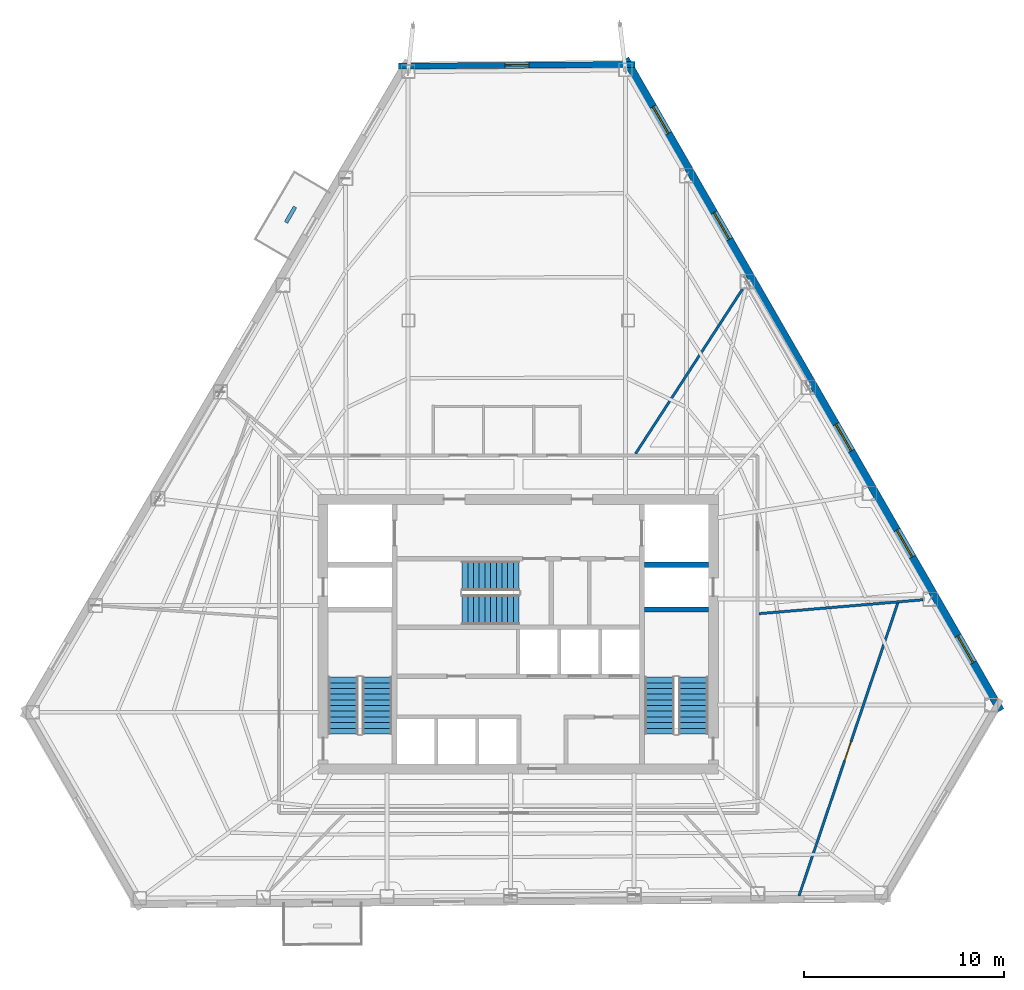
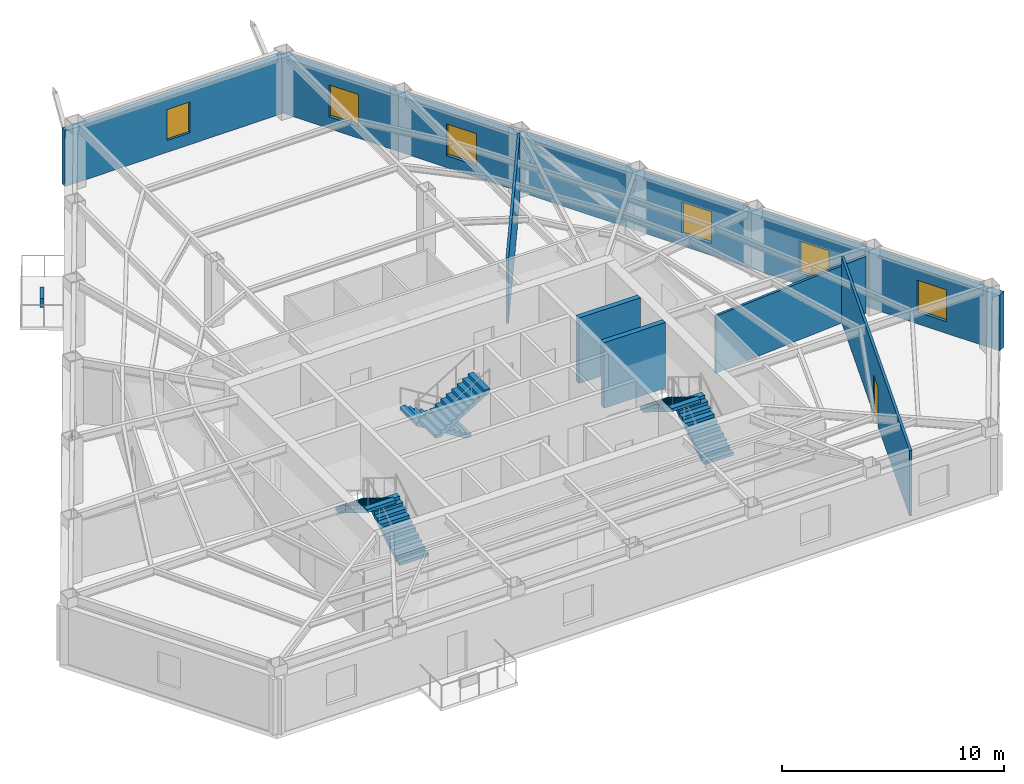
# One storey, part 10 of 12: 8 walls, 6 stair flights, 6 windows, 1 door, 7 openings, 3 elements without a shape of their own.
"""IFC4 building model written with IfcOpenShell, lengths in metres."""

from ifc_helpers import new_model, si_unit, direction, frame, frame_2d, origin, place, context, subcontext, project, spatial, polyline, rectangle, outline, extrude, material, layer, layer_set, type_object, element, fill, aggregate, save


model = new_model("IFC4")

# Units and contexts
model_context = context("Model", 3, precision=1e-05, world=origin(), true_north=direction((0.0, 1.0)))
body_context = subcontext(model_context, "Body", "Model", "MODEL_VIEW")
ifc_project = project(units=[si_unit("LENGTHUNIT", "METRE"), si_unit("AREAUNIT", "SQUARE_METRE"), si_unit("VOLUMEUNIT", "CUBIC_METRE"), si_unit("PLANEANGLEUNIT", "RADIAN"), si_unit("MASSUNIT", "GRAM", prefix="KILO")], contexts=[model_context])

# Site, building, storey
site_placement = place(None, origin())
site = spatial("IfcSite", under=ifc_project, at=site_placement, CompositionType="ELEMENT")
building_placement = place(site_placement, origin())
building = spatial("IfcBuilding", under=site, at=building_placement, Name="Kavelnor Concourse Tower", CompositionType="ELEMENT")
storey_placement = place(building_placement, frame((0.0, 0.0, 143.25)))
storey = spatial("IfcBuildingStorey", under=building, at=storey_placement, Name="L36", CompositionType="ELEMENT", Elevation=143.25)

# Wall, opening, window
ifc_material_1 = material(Name="Buff ironspot clay face brick masonry", Category="masonry")
ifc_layer_1 = layer(ifc_material_1, 0.300048828125, Name="Buff ironspot clay face brick masonry")
ifc_layer_set_1 = layer_set([ifc_layer_1], Name="Buff ironspot clay face brick masonry")
wall_type_1 = type_object("IfcWallType", Name="WL-EXT-BUFF-BRICK-FOLD-300", PredefinedType="STANDARD", material=ifc_layer_set_1)
wall_1_placement = place(storey_placement, frame((32.0126953125, 44.5283203125, 0.0), z_axis=(0.0, 0.0, 1.0), x_axis=(0.999972869971, 0.007366092658, 0.0)))
wall_1 = element("IfcWall", 1, at=wall_1_placement, inside=storey, type_object=wall_type_1, Name="L36 Exterior Brick Facade Wall E0", PredefinedType="STANDARD", context=body_context, shape_type="SweptSolid", body=[
    extrude(rectangle(XDim=11.832275390625, YDim=0.300048828125, at=frame_2d((5.916015625, 0.0))), origin(), (0.0, 0.0, 1.0), 3.05908203125),
])
opening_1_placement = place(wall_1_placement, frame((5.316162109375, 0.0, 0.64990234375)))
opening_1 = element("IfcOpeningElement", 2, at=opening_1_placement, cuts=wall_1, Name="Opening W-05", PredefinedType="OPENING", context=body_context, shape_type="SweptSolid", body=[
    extrude(rectangle(XDim=1.199951171875, YDim=1.699951171875, at=frame_2d((0.60009765625, 0.85009765625))), frame((0.0, 0.16015625, 0.0), z_axis=(0.0, -1.0, 0.0), x_axis=(1.0, 0.0, 0.0)), (0.0, 0.0, 1.0), 0.320068359375),
])
ifc_material_2 = material(Name="Double low-E argon insulated glazing", Category="glass")
window_type_1 = type_object("IfcWindowType", Name="WIN-FOLD-1200", PartitioningType="SINGLE_PANEL", PredefinedType="WINDOW", material=ifc_material_2)
window_1_placement = place(opening_1_placement, origin())
window_1 = element("IfcWindow", 3, at=window_1_placement, inside=storey, type_object=window_type_1, Name="L36 Chamfer-Fold Facet Window C0", OverallHeight=1.699951171875, OverallWidth=1.199951171875, PartitioningType="SINGLE_PANEL", PredefinedType="WINDOW", context=body_context, shape_type="SweptSolid", body=[
    extrude(rectangle(XDim=1.199951171875, YDim=1.699951171875, at=frame_2d((0.60009765625, 0.85009765625))), frame((0.0, 0.030029296875, 0.0), z_axis=(0.0, -1.0, 0.0), x_axis=(1.0, 0.0, 0.0)), (0.0, 0.0, 1.0), 0.06005859375),
])
fill(opening_1, window_1)

# Wall, openings, windows
ifc_material_3 = material(Name="Red-ochre clay face brick masonry", Category="masonry")
ifc_layer_2 = layer(ifc_material_3, 0.3798828125, Name="Red-ochre clay face brick masonry")
ifc_layer_set_2 = layer_set([ifc_layer_2], Name="Red-ochre clay face brick masonry")
wall_type_2 = type_object("IfcWallType", Name="WL-EXT-RED-BRICK-PIER-380", PredefinedType="STANDARD", material=ifc_layer_set_2)
wall_2_placement = place(storey_placement, frame((43.361328125, 44.892578125, 0.0), z_axis=(0.0, 0.0, 1.0), x_axis=(0.499094622433, -0.866547493135, 0.0)))
wall_2 = element("IfcWall", 4, at=wall_2_placement, inside=storey, type_object=wall_type_2, Name="L36 Exterior Brick Facade Wall E5", PredefinedType="STANDARD", context=body_context, shape_type="SweptSolid", body=[
    extrude(rectangle(XDim=37.644287109375, YDim=0.3798828125, at=frame_2d((18.822265625, 0.0))), origin(), (0.0, 0.0, 1.0), 3.05908203125),
])
opening_2_placement = place(wall_2_placement, frame((33.33349609375, 0.0, 0.64990234375)))
opening_2 = element("IfcOpeningElement", 5, at=opening_2_placement, cuts=wall_2, Name="Opening W-02", PredefinedType="OPENING", context=body_context, shape_type="SweptSolid", body=[
    extrude(rectangle(XDim=1.550048828125, YDim=1.75, at=frame_2d((0.77490234375, 0.875))), frame((0.0, 0.199951171875, 0.0), z_axis=(0.0, -1.0, 0.0), x_axis=(1.0, 0.0, 0.0)), (0.0, 0.0, 1.0), 0.39990234375),
])
opening_3_placement = place(wall_2_placement, frame((27.218994140625, 0.0, 0.64990234375)))
opening_3 = element("IfcOpeningElement", 6, at=opening_3_placement, cuts=wall_2, Name="Opening W-02", PredefinedType="OPENING", context=body_context, shape_type="SweptSolid", body=[
    extrude(rectangle(XDim=1.550048828125, YDim=1.75, at=frame_2d((0.77490234375, 0.875))), frame((0.0, 0.199951171875, 0.0), z_axis=(0.0, -1.0, 0.0), x_axis=(1.0, 0.0, 0.0)), (0.0, 0.0, 1.0), 0.39990234375),
])
opening_4_placement = place(wall_2_placement, frame((21.104736328125, 0.0, 0.64990234375)))
opening_4 = element("IfcOpeningElement", 7, at=opening_4_placement, cuts=wall_2, Name="Opening W-02", PredefinedType="OPENING", context=body_context, shape_type="SweptSolid", body=[
    extrude(rectangle(XDim=1.550048828125, YDim=1.75, at=frame_2d((0.77490234375, 0.875))), frame((0.0, 0.199951171875, 0.0), z_axis=(0.0, -1.0, 0.0), x_axis=(1.0, 0.0, 0.0)), (0.0, 0.0, 1.0), 0.39990234375),
])
opening_5_placement = place(wall_2_placement, frame((8.876220703125, 0.0, 0.64990234375)))
opening_5 = element("IfcOpeningElement", 8, at=opening_5_placement, cuts=wall_2, Name="Opening W-02", PredefinedType="OPENING", context=body_context, shape_type="SweptSolid", body=[
    extrude(rectangle(XDim=1.550048828125, YDim=1.75, at=frame_2d((0.77490234375, 0.875))), frame((0.0, 0.199951171875, 0.0), z_axis=(0.0, -1.0, 0.0), x_axis=(1.0, 0.0, 0.0)), (0.0, 0.0, 1.0), 0.39990234375),
])
opening_6_placement = place(wall_2_placement, frame((2.761962890625, 0.0, 0.64990234375)))
opening_6 = element("IfcOpeningElement", 9, at=opening_6_placement, cuts=wall_2, Name="Opening W-02", PredefinedType="OPENING", context=body_context, shape_type="SweptSolid", body=[
    extrude(rectangle(XDim=1.550048828125, YDim=1.75, at=frame_2d((0.77490234375, 0.875))), frame((0.0, 0.199951171875, 0.0), z_axis=(0.0, -1.0, 0.0), x_axis=(1.0, 0.0, 0.0)), (0.0, 0.0, 1.0), 0.39990234375),
])
window_type_2 = type_object("IfcWindowType", Name="WIN-PIER-Z2-1650", PartitioningType="SINGLE_PANEL", PredefinedType="WINDOW", material=ifc_material_2)
window_2_placement = place(opening_2_placement, origin())
window_2 = element("IfcWindow", 10, at=window_2_placement, inside=storey, type_object=window_type_2, Name="L36 Deep-Set Brick Pier Window F2-B0", OverallHeight=1.75, OverallWidth=1.550048828125, PartitioningType="SINGLE_PANEL", PredefinedType="WINDOW", context=body_context, shape_type="SweptSolid", body=[
    extrude(rectangle(XDim=1.550048828125, YDim=1.75, at=frame_2d((0.77490234375, 0.875))), frame((0.0, 0.030029296875, 0.0), z_axis=(0.0, -1.0, 0.0), x_axis=(1.0, 0.0, 0.0)), (0.0, 0.0, 1.0), 0.06005859375),
])
fill(opening_2, window_2)
window_3_placement = place(opening_3_placement, origin())
window_3 = element("IfcWindow", 11, at=window_3_placement, inside=storey, type_object=window_type_2, Name="L36 Deep-Set Brick Pier Window F2-B1", OverallHeight=1.75, OverallWidth=1.550048828125, PartitioningType="SINGLE_PANEL", PredefinedType="WINDOW", context=body_context, shape_type="SweptSolid", body=[
    extrude(rectangle(XDim=1.550048828125, YDim=1.75, at=frame_2d((0.77490234375, 0.875))), frame((0.0, 0.030029296875, 0.0), z_axis=(0.0, -1.0, 0.0), x_axis=(1.0, 0.0, 0.0)), (0.0, 0.0, 1.0), 0.06005859375),
])
fill(opening_3, window_3)
window_4_placement = place(opening_4_placement, origin())
window_4 = element("IfcWindow", 12, at=window_4_placement, inside=storey, type_object=window_type_2, Name="L36 Deep-Set Brick Pier Window F2-B2", OverallHeight=1.75, OverallWidth=1.550048828125, PartitioningType="SINGLE_PANEL", PredefinedType="WINDOW", context=body_context, shape_type="SweptSolid", body=[
    extrude(rectangle(XDim=1.550048828125, YDim=1.75, at=frame_2d((0.77490234375, 0.875))), frame((0.0, 0.030029296875, 0.0), z_axis=(0.0, -1.0, 0.0), x_axis=(1.0, 0.0, 0.0)), (0.0, 0.0, 1.0), 0.06005859375),
])
fill(opening_4, window_4)
window_5_placement = place(opening_5_placement, origin())
window_5 = element("IfcWindow", 13, at=window_5_placement, inside=storey, type_object=window_type_2, Name="L36 Deep-Set Brick Pier Window F2-B4", OverallHeight=1.75, OverallWidth=1.550048828125, PartitioningType="SINGLE_PANEL", PredefinedType="WINDOW", context=body_context, shape_type="SweptSolid", body=[
    extrude(rectangle(XDim=1.550048828125, YDim=1.75, at=frame_2d((0.77490234375, 0.875))), frame((0.0, 0.030029296875, 0.0), z_axis=(0.0, -1.0, 0.0), x_axis=(1.0, 0.0, 0.0)), (0.0, 0.0, 1.0), 0.06005859375),
])
fill(opening_5, window_5)
window_6_placement = place(opening_6_placement, origin())
window_6 = element("IfcWindow", 14, at=window_6_placement, inside=storey, type_object=window_type_2, Name="L36 Deep-Set Brick Pier Window F2-B5", OverallHeight=1.75, OverallWidth=1.550048828125, PartitioningType="SINGLE_PANEL", PredefinedType="WINDOW", context=body_context, shape_type="SweptSolid", body=[
    extrude(rectangle(XDim=1.550048828125, YDim=1.75, at=frame_2d((0.77490234375, 0.875))), frame((0.0, 0.030029296875, 0.0), z_axis=(0.0, -1.0, 0.0), x_axis=(1.0, 0.0, 0.0)), (0.0, 0.0, 1.0), 0.06005859375),
])
fill(opening_6, window_6)

# Walls
ifc_material_4 = material(Name="Gypsum plasterboard on light-gauge steel studs", Category="steel")
ifc_layer_3 = layer(ifc_material_4, 0.125, Name="Gypsum plasterboard on light-gauge steel studs")
ifc_layer_set_3 = layer_set([ifc_layer_3], Name="Gypsum plasterboard on light-gauge steel studs")
wall_type_3 = type_object("IfcWallType", Name="WL-INT-SUITE-125", PredefinedType="PARTITIONING", material=ifc_layer_set_3)
wall_3_placement = place(storey_placement, frame((50.050537109375, 17.122802734375, 0.0), z_axis=(0.0, 0.0, 1.0), x_axis=(0.996419717738, 0.084544344003, 0.0)))
element("IfcWall", 15, at=wall_3_placement, inside=storey, type_object=wall_type_3, Name="L36 Radial Suite Partition 01", PredefinedType="PARTITIONING", context=body_context, shape_type="SweptSolid", body=[
    extrude(rectangle(XDim=8.23583984375, YDim=0.125, at=frame_2d((4.117919921875, 0.0))), origin(), (0.0, 0.0, 1.0), 3.14111328125),
])
wall_4_placement = place(storey_placement, frame((43.8701171875, 25.130615234375, 0.0), z_axis=(0.0, 0.0, 1.0), x_axis=(0.545017140764, 0.838424901988, 0.0)))
element("IfcWall", 16, at=wall_4_placement, inside=storey, type_object=wall_type_3, Name="L36 Radial Suite Partition 02", PredefinedType="PARTITIONING", context=body_context, shape_type="SweptSolid", body=[
    extrude(rectangle(XDim=9.836181640625, YDim=0.125, at=frame_2d((4.91796875, 0.0))), origin(), (0.0, 0.0, 1.0), 3.60009765625),
])

# Wall, opening, door
wall_5_placement = place(storey_placement, frame((52.052490234375, 2.995361328125, 0.0), z_axis=(0.0, 0.0, 1.0), x_axis=(0.319600664948, 0.947552328352, 0.0)))
wall_5 = element("IfcWall", 17, at=wall_5_placement, inside=storey, type_object=wall_type_3, Name="L36 Suite Subdivision Partition 06", PredefinedType="PARTITIONING", context=body_context, shape_type="SweptSolid", body=[
    extrude(rectangle(XDim=15.516845703125, YDim=0.125, at=frame_2d((7.75830078125, 0.0))), origin(), (0.0, 0.0, 1.0), 3.60009765625),
])
opening_7_placement = place(wall_5_placement, frame((7.1552734375, 0.0, 0.0)))
opening_7 = element("IfcOpeningElement", 18, at=opening_7_placement, cuts=wall_5, Name="Opening OD-098", PredefinedType="OPENING", context=body_context, shape_type="SweptSolid", body=[
    extrude(rectangle(XDim=0.97998046875, YDim=2.14990234375, at=frame_2d((0.489990234375, 1.074951171875))), frame((0.0, 0.072509765625, 0.0), z_axis=(0.0, -1.0, 0.0), x_axis=(1.0, 0.0, 0.0)), (0.0, 0.0, 1.0), 0.14501953125),
])
ifc_material_5 = material(Name="Solid-core hardwood timber", Category="wood")
door_type = type_object("IfcDoorType", Name="DR-OFFICE-980", OperationType="NOTDEFINED", PredefinedType="DOOR", material=ifc_material_5)
door_placement = place(opening_7_placement, origin())
door = element("IfcDoor", 19, at=door_placement, inside=storey, type_object=door_type, Name="L36 Tenant Bookstore Retail Shop 08 Door", OperationType="SINGLE_SWING_LEFT", OverallHeight=2.14990234375, OverallWidth=0.97998046875, PredefinedType="DOOR", context=body_context, shape_type="SweptSolid", body=[
    extrude(rectangle(XDim=0.97998046875, YDim=2.14990234375, at=frame_2d((0.489990234375, 1.074951171875))), frame((0.0, 0.02490234375, 0.0), z_axis=(0.0, -1.0, 0.0), x_axis=(1.0, 0.0, 0.0)), (0.0, 0.0, 1.0), 0.050048828125),
])
fill(opening_7, door)

# Walls
ifc_material_6 = material(Name="Architectural precast planter concrete C40/50", Category="concrete")
ifc_layer_4 = layer(ifc_material_6, 0.18994140625, Name="Architectural precast planter concrete C40/50")
ifc_layer_set_4 = layer_set([ifc_layer_4], Name="Architectural precast planter concrete C40/50")
wall_type_4 = type_object("IfcWallType", Name="WL-PLANTER-KERB-190", PredefinedType="USERDEFINED", material=ifc_layer_set_4)
wall_6_placement = place(storey_placement, frame((26.830078125, 37.483154296875, 0.0), z_axis=(0.0, 0.0, 1.0), x_axis=(-0.505371371918, -0.862901950656, 0.0)))
element("IfcWall", 20, at=wall_6_placement, inside=storey, type_object=wall_type_4, Name="L36 Tree Balcony 1 Tree Planter Kerb", ObjectType="PLANTER", PredefinedType="USERDEFINED", context=body_context, shape_type="SweptSolid", body=[
    extrude(rectangle(XDim=0.89990234375, YDim=0.18994140625, at=frame_2d((0.449951171875, 0.0))), origin(), (0.0, 0.0, 1.0), 0.5),
])
ifc_material_7 = material(Name="Concrete C50/60", Category="concrete")
ifc_layer_5 = layer(ifc_material_7, 0.260009765625, Name="Concrete C50/60")
ifc_layer_set_5 = layer_set([ifc_layer_5], Name="Concrete C50/60")
wall_type_5 = type_object("IfcWallType", Name="WL-SHAFT-260", PredefinedType="SHEAR", material=ifc_layer_set_5)
for number, where, z_axis, x_axis, name in (
    (21, (44.320068359375, 17.330078125, 0.0), (0.0, 0.0, 1.0), (1.0, 0.0, 0.0), "L36 Stair ST2 North Shaft Wall"),
    (22, (44.320068359375, 19.570068359375, 0.0), (0.0, 0.0, 1.0), (1.0, 0.0, 0.0), "L36 Emergency Lift FL2 South Shaft Wall"),
):
    element("IfcWall", number, at=place(storey_placement, frame(where, z_axis=z_axis, x_axis=x_axis)), inside=storey, type_object=wall_type_5, Name=name, PredefinedType="SHEAR", context=body_context, shape_type="SweptSolid", body=[
        extrude(rectangle(XDim=3.199951171875, YDim=0.260009765625, at=frame_2d((1.60009765625, 0.0))), origin(), (0.0, 0.0, 1.0), 3.60009765625),
    ])

# Stair, stair flights
ifc_material_8 = material(Name="Concrete C40/50", Category="concrete")
stair_type = type_object("IfcStairType", Name="STR-CORE-1500", PredefinedType="HALF_TURN_STAIR", material=ifc_material_8)
stair_1_placement = place(storey_placement, origin())
stair_1 = element("IfcStair", 23, at=stair_1_placement, inside=storey, type_object=stair_type, Name="L36 ST1", PredefinedType="HALF_TURN_STAIR")
stair_flight_type = type_object("IfcStairFlightType", Name="STR-FLIGHT-1500", PredefinedType="STRAIGHT", material=ifc_material_8)
stair_flight_1_placement = place(storey_placement, frame((30.929931640625, 11.10009765625, 0.0), z_axis=(0.0, 0.0, 1.0), x_axis=(0.0, 1.0, 0.0)))
stair_flight_1 = element("IfcStairFlight", 24, at=stair_flight_1_placement, type_object=stair_flight_type, Name="ST1 flight 1", NumberOfRisers=11, NumberOfTreads=10, PredefinedType="STRAIGHT", RiserHeight=0.175, TreadLength=0.285, context=body_context, shape_type="SweptSolid", body=[
    extrude(outline(polyline([(0.0, 0.0), (0.0, 0.175048828125), (0.284912109375, 0.175048828125), (0.284912109375, 0.35009765625), (0.570068359375, 0.35009765625), (0.570068359375, 0.52490234375), (0.85498046875, 0.52490234375), (0.85498046875, 0.699951171875), (1.139892578125, 0.699951171875), (1.139892578125, 0.875), (1.425048828125, 0.875), (1.425048828125, 1.050048828125), (1.7099609375, 1.050048828125), (1.7099609375, 1.22509765625), (1.9951171875, 1.22509765625), (1.9951171875, 1.39990234375), (2.280029296875, 1.39990234375), (2.280029296875, 1.574951171875), (2.56494140625, 1.574951171875), (2.56494140625, 1.75), (2.85009765625, 1.75), (2.85009765625, 1.925048828125), (2.85009765625, 1.573974609375), (0.286376953125, 0.0), (0.0, 0.0)])), frame((0.0, 0.75, 0.0), z_axis=(0.0, -1.0, 0.0), x_axis=(1.0, 0.0, 0.0)), (0.0, 0.0, 1.0), 1.5),
])
stair_flight_2_placement = place(storey_placement, frame((29.22998046875, 13.949951171875, 1.925048828125), z_axis=(0.0, 0.0, 1.0), x_axis=(0.0, -1.0, 0.0)))
stair_flight_2 = element("IfcStairFlight", 25, at=stair_flight_2_placement, type_object=stair_flight_type, Name="ST1 flight 2", NumberOfRisers=11, NumberOfTreads=10, PredefinedType="STRAIGHT", RiserHeight=0.175, TreadLength=0.285, context=body_context, shape_type="SweptSolid", body=[
    extrude(outline(polyline([(0.0, 0.0), (0.0, 0.175048828125), (0.284912109375, 0.175048828125), (0.284912109375, 0.35009765625), (0.570068359375, 0.35009765625), (0.570068359375, 0.52490234375), (0.85498046875, 0.52490234375), (0.85498046875, 0.699951171875), (1.139892578125, 0.699951171875), (1.139892578125, 0.875), (1.425048828125, 0.875), (1.425048828125, 1.050048828125), (1.7099609375, 1.050048828125), (1.7099609375, 1.22509765625), (1.9951171875, 1.22509765625), (1.9951171875, 1.39990234375), (2.280029296875, 1.39990234375), (2.280029296875, 1.574951171875), (2.56494140625, 1.574951171875), (2.56494140625, 1.75), (2.85009765625, 1.75), (2.85009765625, 1.925048828125), (2.85009765625, 1.573974609375), (0.286376953125, 0.0), (0.0, 0.0)])), frame((0.0, 0.75, 0.0), z_axis=(0.0, -1.0, 0.0), x_axis=(1.0, 0.0, 0.0)), (0.0, 0.0, 1.0), 1.5),
])
aggregate(stair_1, [stair_flight_1, stair_flight_2])

stair_2_placement = place(storey_placement, origin())
stair_2 = element("IfcStair", 26, at=stair_2_placement, inside=storey, type_object=stair_type, Name="L36 ST2", PredefinedType="HALF_TURN_STAIR")
stair_flight_3_placement = place(storey_placement, frame((46.77001953125, 11.10009765625, 0.0), z_axis=(0.0, 0.0, 1.0), x_axis=(0.0, 1.0, 0.0)))
stair_flight_3 = element("IfcStairFlight", 27, at=stair_flight_3_placement, type_object=stair_flight_type, Name="ST2 flight 1", NumberOfRisers=11, NumberOfTreads=10, PredefinedType="STRAIGHT", RiserHeight=0.175, TreadLength=0.285, context=body_context, shape_type="SweptSolid", body=[
    extrude(outline(polyline([(0.0, 0.0), (0.0, 0.175048828125), (0.284912109375, 0.175048828125), (0.284912109375, 0.35009765625), (0.570068359375, 0.35009765625), (0.570068359375, 0.52490234375), (0.85498046875, 0.52490234375), (0.85498046875, 0.699951171875), (1.139892578125, 0.699951171875), (1.139892578125, 0.875), (1.425048828125, 0.875), (1.425048828125, 1.050048828125), (1.7099609375, 1.050048828125), (1.7099609375, 1.22509765625), (1.9951171875, 1.22509765625), (1.9951171875, 1.39990234375), (2.280029296875, 1.39990234375), (2.280029296875, 1.574951171875), (2.56494140625, 1.574951171875), (2.56494140625, 1.75), (2.85009765625, 1.75), (2.85009765625, 1.925048828125), (2.85009765625, 1.573974609375), (0.286376953125, 0.0), (0.0, 0.0)])), frame((0.0, 0.75, 0.0), z_axis=(0.0, -1.0, 0.0), x_axis=(1.0, 0.0, 0.0)), (0.0, 0.0, 1.0), 1.5),
])
stair_flight_4_placement = place(storey_placement, frame((45.070068359375, 13.949951171875, 1.925048828125), z_axis=(0.0, 0.0, 1.0), x_axis=(0.0, -1.0, 0.0)))
stair_flight_4 = element("IfcStairFlight", 28, at=stair_flight_4_placement, type_object=stair_flight_type, Name="ST2 flight 2", NumberOfRisers=11, NumberOfTreads=10, PredefinedType="STRAIGHT", RiserHeight=0.175, TreadLength=0.285, context=body_context, shape_type="SweptSolid", body=[
    extrude(outline(polyline([(0.0, 0.0), (0.0, 0.175048828125), (0.284912109375, 0.175048828125), (0.284912109375, 0.35009765625), (0.570068359375, 0.35009765625), (0.570068359375, 0.52490234375), (0.85498046875, 0.52490234375), (0.85498046875, 0.699951171875), (1.139892578125, 0.699951171875), (1.139892578125, 0.875), (1.425048828125, 0.875), (1.425048828125, 1.050048828125), (1.7099609375, 1.050048828125), (1.7099609375, 1.22509765625), (1.9951171875, 1.22509765625), (1.9951171875, 1.39990234375), (2.280029296875, 1.39990234375), (2.280029296875, 1.574951171875), (2.56494140625, 1.574951171875), (2.56494140625, 1.75), (2.85009765625, 1.75), (2.85009765625, 1.925048828125), (2.85009765625, 1.573974609375), (0.286376953125, 0.0), (0.0, 0.0)])), frame((0.0, 0.75, 0.0), z_axis=(0.0, -1.0, 0.0), x_axis=(1.0, 0.0, 0.0)), (0.0, 0.0, 1.0), 1.5),
])
aggregate(stair_2, [stair_flight_3, stair_flight_4])

stair_3_placement = place(storey_placement, origin())
stair_3 = element("IfcStair", 29, at=stair_3_placement, inside=storey, type_object=stair_type, Name="L36 ST3", PredefinedType="HALF_TURN_STAIR")
stair_flight_5_placement = place(storey_placement, frame((38.0400390625, 19.010009765625, 0.0), z_axis=(0.0, 0.0, 1.0), x_axis=(-1.0, 0.0, 0.0)))
stair_flight_5 = element("IfcStairFlight", 30, at=stair_flight_5_placement, type_object=stair_flight_type, Name="ST3 flight 1", NumberOfRisers=11, NumberOfTreads=10, PredefinedType="STRAIGHT", RiserHeight=0.175, TreadLength=0.285, context=body_context, shape_type="SweptSolid", body=[
    extrude(outline(polyline([(0.0, 0.0), (0.0, 0.175048828125), (0.284912109375, 0.175048828125), (0.284912109375, 0.35009765625), (0.570068359375, 0.35009765625), (0.570068359375, 0.52490234375), (0.85498046875, 0.52490234375), (0.85498046875, 0.699951171875), (1.139892578125, 0.699951171875), (1.139892578125, 0.875), (1.425048828125, 0.875), (1.425048828125, 1.050048828125), (1.7099609375, 1.050048828125), (1.7099609375, 1.22509765625), (1.9951171875, 1.22509765625), (1.9951171875, 1.39990234375), (2.280029296875, 1.39990234375), (2.280029296875, 1.574951171875), (2.56494140625, 1.574951171875), (2.56494140625, 1.75), (2.85009765625, 1.75), (2.85009765625, 1.925048828125), (2.85009765625, 1.573974609375), (0.286376953125, 0.0), (0.0, 0.0)])), frame((0.0, 0.75, 0.0), z_axis=(0.0, -1.0, 0.0), x_axis=(1.0, 0.0, 0.0)), (0.0, 0.0, 1.0), 1.5),
])
stair_flight_6_placement = place(storey_placement, frame((35.18994140625, 17.31005859375, 1.925048828125), z_axis=(0.0, 0.0, 1.0), x_axis=(1.0, 0.0, 0.0)))
stair_flight_6 = element("IfcStairFlight", 31, at=stair_flight_6_placement, type_object=stair_flight_type, Name="ST3 flight 2", NumberOfRisers=11, NumberOfTreads=10, PredefinedType="STRAIGHT", RiserHeight=0.175, TreadLength=0.285, context=body_context, shape_type="SweptSolid", body=[
    extrude(outline(polyline([(0.0, 0.0), (0.0, 0.175048828125), (0.284912109375, 0.175048828125), (0.284912109375, 0.35009765625), (0.570068359375, 0.35009765625), (0.570068359375, 0.52490234375), (0.85498046875, 0.52490234375), (0.85498046875, 0.699951171875), (1.139892578125, 0.699951171875), (1.139892578125, 0.875), (1.425048828125, 0.875), (1.425048828125, 1.050048828125), (1.7099609375, 1.050048828125), (1.7099609375, 1.22509765625), (1.9951171875, 1.22509765625), (1.9951171875, 1.39990234375), (2.280029296875, 1.39990234375), (2.280029296875, 1.574951171875), (2.56494140625, 1.574951171875), (2.56494140625, 1.75), (2.85009765625, 1.75), (2.85009765625, 1.925048828125), (2.85009765625, 1.573974609375), (0.286376953125, 0.0), (0.0, 0.0)])), frame((0.0, 0.75, 0.0), z_axis=(0.0, -1.0, 0.0), x_axis=(1.0, 0.0, 0.0)), (0.0, 0.0, 1.0), 1.5),
])
aggregate(stair_3, [stair_flight_5, stair_flight_6])

save(model, "model.ifc")
